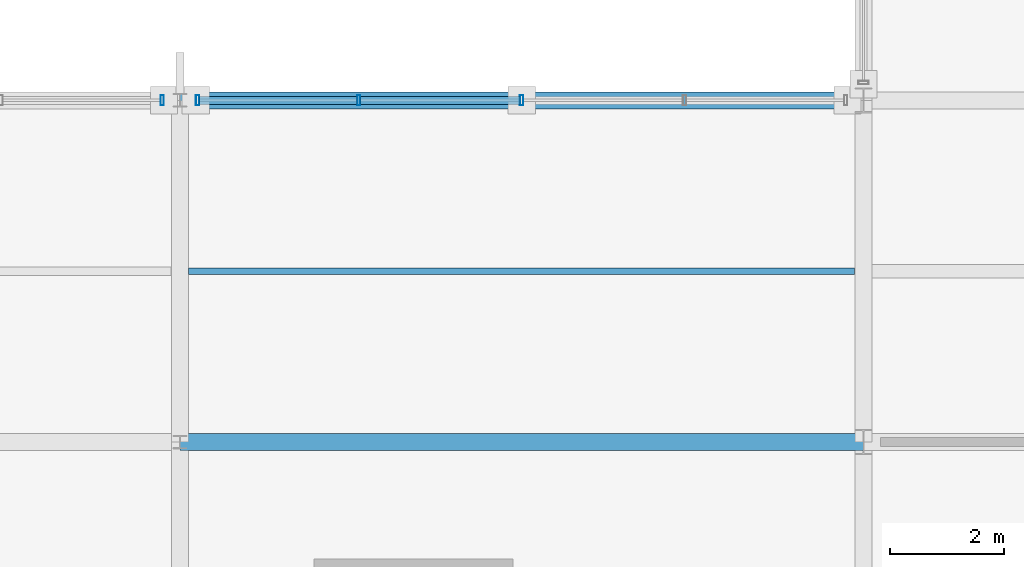
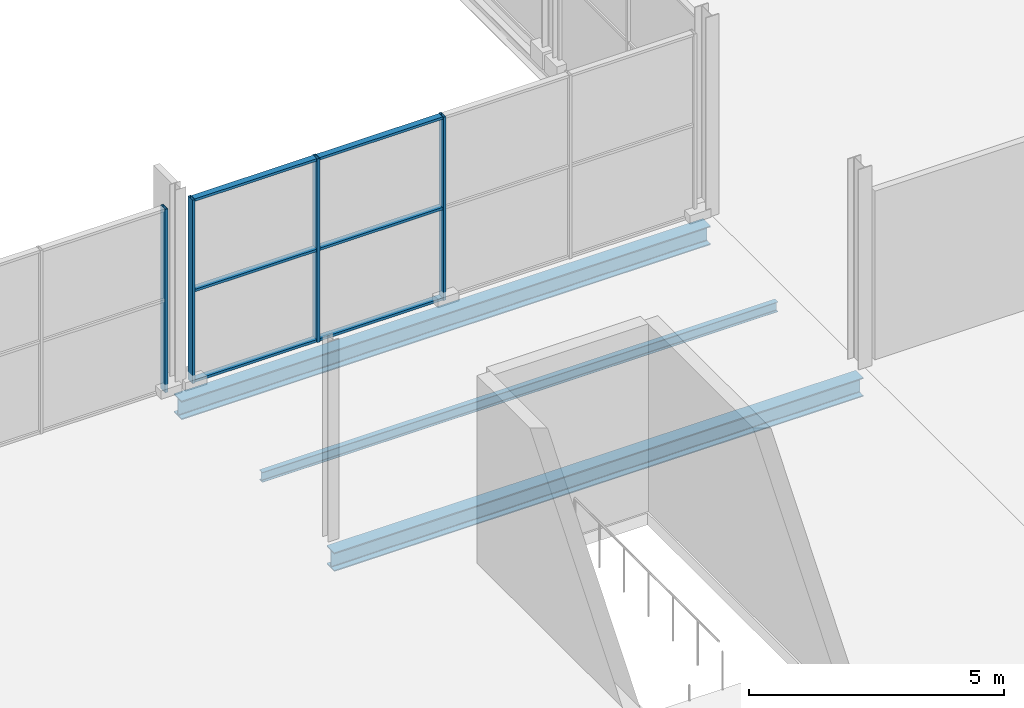
# One storey, part 109 of 159: 10 members, 3 beams, 2 elements without a shape of their own.
"""IFC4 building model written with IfcOpenShell, lengths in metres."""

from ifc_helpers import new_model, si_unit, direction, frame, origin, origin_2d, place, context, subcontext, project, spatial, hollow_rectangle, i_section, extrude, material, material_profile, profile_set, type_object, element, aggregate, save


model = new_model("IFC4")

# Units and contexts
model_context = context("Model", 3, precision=1e-05, world=origin(), true_north=direction((0.0, 1.0)))
body_context = subcontext(model_context, "Body", "Model", "MODEL_VIEW")
ifc_project = project(units=[si_unit("LENGTHUNIT", "METRE"), si_unit("AREAUNIT", "SQUARE_METRE"), si_unit("VOLUMEUNIT", "CUBIC_METRE"), si_unit("PLANEANGLEUNIT", "RADIAN"), si_unit("MASSUNIT", "GRAM", prefix="KILO")], contexts=[model_context])

# Site, building, storey
site_placement = place(None, origin())
site = spatial("IfcSite", under=ifc_project, at=site_placement, CompositionType="ELEMENT")
building_placement = place(site_placement, origin())
building = spatial("IfcBuilding", under=site, at=building_placement, Name="Merenkruunu Market Hall", CompositionType="ELEMENT")
storey_placement = place(building_placement, frame((0.0, 0.0, 5.39990234375)))
storey = spatial("IfcBuildingStorey", under=building, at=storey_placement, Name="L01", CompositionType="ELEMENT", Elevation=5.39990234375)

# Curtain wall, member
ifc_material_1 = material(Name="Powder-coated aluminium", Category="aluminium")
curtain_wall_type = type_object("IfcCurtainWallType", Name="Glazed Curtain Wall CW05", PredefinedType="USERDEFINED", material=ifc_material_1)
curtain_wall_1_placement = place(storey_placement, origin())
curtain_wall_1 = element("IfcCurtainWall", 1, at=curtain_wall_1_placement, inside=storey, type_object=curtain_wall_type, Name="CW-L01-CWM02-197", ObjectType="GLAZED_FACADE", PredefinedType="USERDEFINED")
ifc_material_profile_1 = material_profile(ifc_material_1, hollow_rectangle(XDim=0.06005859375, YDim=0.179931640625, WallThickness=0.00390625, at=origin_2d()), Name="ALU 60x180x4")
ifc_profile_set_1 = profile_set([ifc_material_profile_1], Name="Powder-coated aluminium")
member_type_1 = type_object("IfcMemberType", Name="Curtain Wall Mullion CWM02", PredefinedType="MULLION", material=ifc_profile_set_1)
member_1_placement = place(storey_placement, frame((136.489990234375, 45.60009765625, 0.0), z_axis=(0.0, 0.0, 1.0), x_axis=(1.0, 0.0, 0.0)))
member_1 = element("IfcMember", 2, at=member_1_placement, type_object=member_type_1, Name="CW05 mullion 5", PredefinedType="MULLION", context=body_context, shape_type="SweptSolid", body=[
    extrude(hollow_rectangle(XDim=0.06005859375, YDim=0.179931640625, WallThickness=0.00390625, at=origin_2d()), origin(), (0.0, 0.0, 1.0), 4.400146484375),
])
aggregate(curtain_wall_1, [member_1])

# Curtain wall, members
curtain_wall_2_placement = place(storey_placement, origin())
curtain_wall_2 = element("IfcCurtainWall", 3, at=curtain_wall_2_placement, inside=storey, type_object=curtain_wall_type, Name="CW-L01-CWM02-200", ObjectType="GLAZED_FACADE", PredefinedType="USERDEFINED")
member_2_placement = place(storey_placement, frame((137.110107421875, 45.60009765625, 0.0), z_axis=(0.0, 0.0, 1.0), x_axis=(1.0, 0.0, 0.0)))
member_2 = element("IfcMember", 4, at=member_2_placement, type_object=member_type_1, Name="CW05 mullion 1", PredefinedType="MULLION", context=body_context, shape_type="SweptSolid", body=[
    extrude(hollow_rectangle(XDim=0.06005859375, YDim=0.179931640625, WallThickness=0.00390625, at=origin_2d()), origin(), (0.0, 0.0, 1.0), 4.400146484375),
])
member_3_placement = place(storey_placement, frame((139.93994140625, 45.60009765625, 0.0), z_axis=(0.0, 0.0, 1.0), x_axis=(1.0, 0.0, 0.0)))
member_3 = element("IfcMember", 5, at=member_3_placement, type_object=member_type_1, Name="CW05 mullion 2", PredefinedType="MULLION", context=body_context, shape_type="SweptSolid", body=[
    extrude(hollow_rectangle(XDim=0.06005859375, YDim=0.179931640625, WallThickness=0.00390625, at=origin_2d()), origin(), (0.0, 0.0, 1.0), 4.400146484375),
])
member_4_placement = place(storey_placement, frame((142.800048828125, 45.60009765625, 0.0), z_axis=(0.0, 0.0, 1.0), x_axis=(1.0, 0.0, 0.0)))
member_4 = element("IfcMember", 6, at=member_4_placement, type_object=member_type_1, Name="CW05 mullion 3", PredefinedType="MULLION", context=body_context, shape_type="SweptSolid", body=[
    extrude(hollow_rectangle(XDim=0.06005859375, YDim=0.179931640625, WallThickness=0.00390625, at=origin_2d()), origin(), (0.0, 0.0, 1.0), 4.400146484375),
])
ifc_material_profile_2 = material_profile(ifc_material_1, hollow_rectangle(XDim=0.06005859375, YDim=0.139892578125, WallThickness=0.00390625, at=origin_2d()), Name="ALU 60x140x4")
ifc_profile_set_2 = profile_set([ifc_material_profile_2], Name="Powder-coated aluminium")
member_type_2 = type_object("IfcMemberType", Name="Curtain Wall Transom CWT02", PredefinedType="USERDEFINED", material=ifc_profile_set_2)
member_5_placement = place(storey_placement, frame((137.139892578125, 45.60009765625, 0.030029296875), z_axis=(1.0, 0.0, 0.0), x_axis=(0.0, 0.0, 1.0)))
member_5 = element("IfcMember", 7, at=member_5_placement, type_object=member_type_2, Name="CW05 transom 1.1", ObjectType="TRANSOM", PredefinedType="USERDEFINED", context=body_context, shape_type="SweptSolid", body=[
    extrude(hollow_rectangle(XDim=0.06005859375, YDim=0.139892578125, WallThickness=0.00390625, at=origin_2d()), origin(), (0.0, 0.0, 1.0), 2.77001953125),
])
member_6_placement = place(storey_placement, frame((137.139892578125, 45.60009765625, 2.2001953125), z_axis=(1.0, 0.0, 0.0), x_axis=(0.0, 0.0, 1.0)))
member_6 = element("IfcMember", 8, at=member_6_placement, type_object=member_type_2, Name="CW05 transom 1.2", ObjectType="TRANSOM", PredefinedType="USERDEFINED", context=body_context, shape_type="SweptSolid", body=[
    extrude(hollow_rectangle(XDim=0.06005859375, YDim=0.139892578125, WallThickness=0.00390625, at=origin_2d()), origin(), (0.0, 0.0, 1.0), 2.77001953125),
])
member_7_placement = place(storey_placement, frame((137.139892578125, 45.60009765625, 4.3701171875), z_axis=(1.0, 0.0, 0.0), x_axis=(0.0, 0.0, 1.0)))
member_7 = element("IfcMember", 9, at=member_7_placement, type_object=member_type_2, Name="CW05 transom 1.3", ObjectType="TRANSOM", PredefinedType="USERDEFINED", context=body_context, shape_type="SweptSolid", body=[
    extrude(hollow_rectangle(XDim=0.06005859375, YDim=0.139892578125, WallThickness=0.00390625, at=origin_2d()), origin(), (0.0, 0.0, 1.0), 2.77001953125),
])
member_8_placement = place(storey_placement, frame((139.969970703125, 45.60009765625, 0.030029296875), z_axis=(1.0, 0.0, 0.0), x_axis=(0.0, 0.0, 1.0)))
member_8 = element("IfcMember", 10, at=member_8_placement, type_object=member_type_2, Name="CW05 transom 2.1", ObjectType="TRANSOM", PredefinedType="USERDEFINED", context=body_context, shape_type="SweptSolid", body=[
    extrude(hollow_rectangle(XDim=0.06005859375, YDim=0.139892578125, WallThickness=0.00390625, at=origin_2d()), origin(), (0.0, 0.0, 1.0), 2.800048828125),
])
member_9_placement = place(storey_placement, frame((139.969970703125, 45.60009765625, 2.2001953125), z_axis=(1.0, 0.0, 0.0), x_axis=(0.0, 0.0, 1.0)))
member_9 = element("IfcMember", 11, at=member_9_placement, type_object=member_type_2, Name="CW05 transom 2.2", ObjectType="TRANSOM", PredefinedType="USERDEFINED", context=body_context, shape_type="SweptSolid", body=[
    extrude(hollow_rectangle(XDim=0.06005859375, YDim=0.139892578125, WallThickness=0.00390625, at=origin_2d()), origin(), (0.0, 0.0, 1.0), 2.800048828125),
])
member_10_placement = place(storey_placement, frame((139.969970703125, 45.60009765625, 4.3701171875), z_axis=(1.0, 0.0, 0.0), x_axis=(0.0, 0.0, 1.0)))
member_10 = element("IfcMember", 12, at=member_10_placement, type_object=member_type_2, Name="CW05 transom 2.3", ObjectType="TRANSOM", PredefinedType="USERDEFINED", context=body_context, shape_type="SweptSolid", body=[
    extrude(hollow_rectangle(XDim=0.06005859375, YDim=0.139892578125, WallThickness=0.00390625, at=origin_2d()), origin(), (0.0, 0.0, 1.0), 2.800048828125),
])
aggregate(curtain_wall_2, [member_2, member_3, member_4, member_5, member_6, member_7, member_8, member_9, member_10])

# Beams
ifc_material_2 = material(Name="Steel S355J2", Category="steel")
ifc_material_profile_3 = material_profile(ifc_material_2, i_section(OverallWidth=0.300048828125, OverallDepth=0.449951171875, WebThickness=0.013916015625, FlangeThickness=0.02587890625, FilletRadius=0.027099609375, at=origin_2d()), Name="HEB 450")
ifc_profile_set_3 = profile_set([ifc_material_profile_3], Name="Steel S355J2")
beam_type_1 = type_object("IfcBeamType", Name="Primary Floor Girder B03", PredefinedType="BEAM", material=ifc_profile_set_3)
for number, where, z_axis, x_axis, name in (
    (13, (136.800048828125, 39.60009765625, -0.5048828125), (1.0, 0.0, 0.0), (0.0, 1.0, 0.0), "BM-L01-B03-0502"),
    (14, (136.800048828125, 45.60009765625, -0.5048828125), (1.0, 0.0, 0.0), (0.0, 1.0, 0.0), "BM-L01-B03-0514"),
):
    element("IfcBeam", number, at=place(storey_placement, frame(where, z_axis=z_axis, x_axis=x_axis)), inside=storey, type_object=beam_type_1, Name=name, PredefinedType="BEAM", context=body_context, shape_type="SweptSolid", body=[
        extrude(i_section(OverallWidth=0.300048828125, OverallDepth=0.449951171875, WebThickness=0.013916015625, FlangeThickness=0.02587890625, FilletRadius=0.027099609375, at=origin_2d()), origin(), (0.0, 0.0, 1.0), 12.0),
    ])
ifc_material_profile_4 = material_profile(ifc_material_2, i_section(OverallWidth=0.1201171875, OverallDepth=0.239990234375, WebThickness=0.006103515625, FlangeThickness=0.009765625, FilletRadius=0.014892578125, at=origin_2d()), Name="IPE 240")
ifc_profile_set_4 = profile_set([ifc_material_profile_4], Name="Steel S355J2")
beam_type_2 = type_object("IfcBeamType", Name="Secondary Floor Joist J05", PredefinedType="JOIST", material=ifc_profile_set_4)
beam_placement = place(storey_placement, frame((136.952880859375, 42.60009765625, -0.39990234375), z_axis=(1.0, 0.0, 0.0), x_axis=(0.0, 1.0, 0.0)))
element("IfcBeam", 15, at=beam_placement, inside=storey, type_object=beam_type_2, Name="BM-L01-J05-0699", PredefinedType="JOIST", context=body_context, shape_type="SweptSolid", body=[
    extrude(i_section(OverallWidth=0.1201171875, OverallDepth=0.239990234375, WebThickness=0.006103515625, FlangeThickness=0.009765625, FilletRadius=0.014892578125, at=origin_2d()), origin(), (0.0, 0.0, 1.0), 11.694091796875),
])

save(model, "model.ifc")
